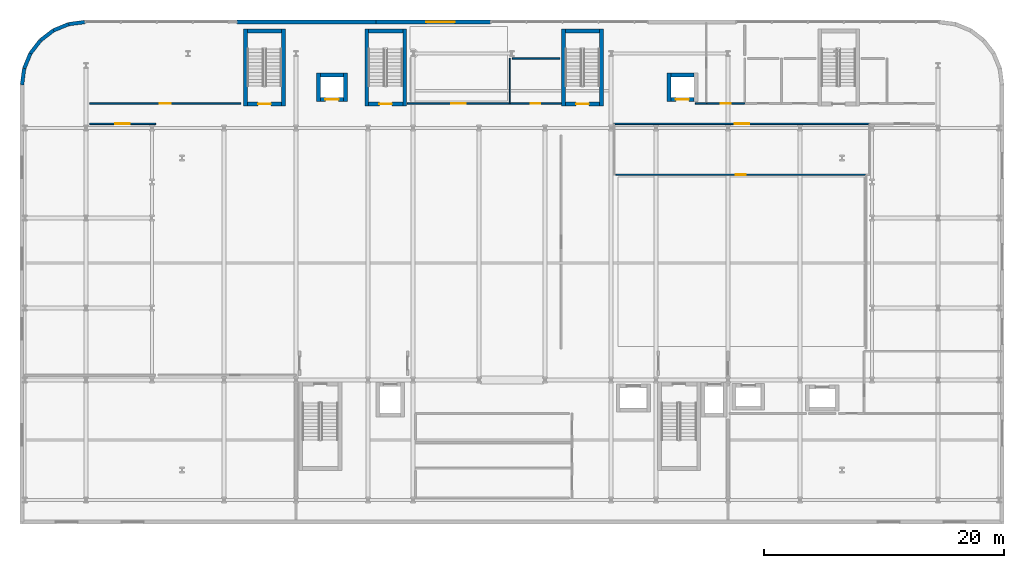
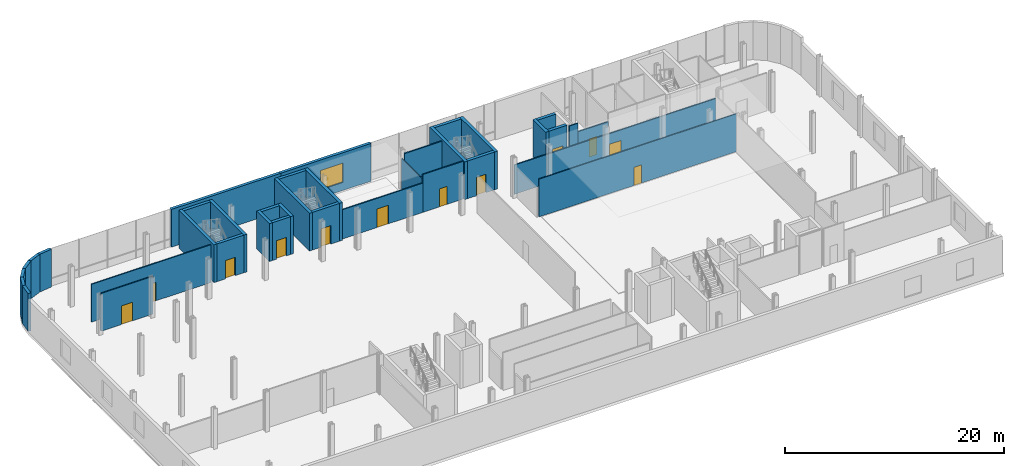
# One storey, part 19 of 25: 37 walls, 12 doors, 1 window, 13 openings.
"""IFC4 building model written with IfcOpenShell, lengths in metres."""

from ifc_helpers import new_model, si_unit, direction, frame, frame_2d, origin, place, context, subcontext, project, spatial, rectangle, extrude, material, layer, layer_set, type_object, element, fill, save


model = new_model("IFC4")

# Units and contexts
model_context = context("Model", 3, precision=1e-05, world=origin(), true_north=direction((0.0, 1.0)))
body_context = subcontext(model_context, "Body", "Model", "MODEL_VIEW")
ifc_project = project(units=[si_unit("LENGTHUNIT", "METRE"), si_unit("AREAUNIT", "SQUARE_METRE"), si_unit("VOLUMEUNIT", "CUBIC_METRE"), si_unit("PLANEANGLEUNIT", "RADIAN"), si_unit("MASSUNIT", "GRAM", prefix="KILO")], contexts=[model_context])

# Site, building, storey
site_placement = place(None, origin())
site = spatial("IfcSite", under=ifc_project, at=site_placement, CompositionType="ELEMENT")
building_placement = place(site_placement, origin())
building = spatial("IfcBuilding", under=site, at=building_placement, Name="Brevholm Reach", CompositionType="ELEMENT")
storey_placement = place(building_placement, frame((0.0, 0.0, 4.5)))
storey = spatial("IfcBuildingStorey", under=building, at=storey_placement, Name="L01", CompositionType="ELEMENT", Elevation=4.5)

# Walls
ifc_material_1 = material(Name="Concrete C60/75", Category="concrete")
ifc_layer_1 = layer(ifc_material_1, 0.320068359375)
ifc_layer_set_1 = layer_set([ifc_layer_1], Name="Concrete C60/75")
wall_type_1 = type_object("IfcWallType", Name="WAL-COR-320", PredefinedType="SHEAR", material=ifc_layer_set_1)
for number, where, z_axis, x_axis, name in (
    (1, (7.7900390625, 32.830078125, 0.0), (0.0, 0.0, 1.0), (0.0, 1.0, 0.0), "L01 Escape Stair ST-S1 Core Wall W"),
    (2, (10.9599609375, 32.830078125, 0.0), (0.0, 0.0, 1.0), (0.0, 1.0, 0.0), "L01 Escape Stair ST-S1 Core Wall E"),
):
    element("IfcWall", number, at=place(storey_placement, frame(where, z_axis=z_axis, x_axis=x_axis)), inside=storey, type_object=wall_type_1, Name=name, PredefinedType="SHEAR", context=body_context, shape_type="SweptSolid", body=[
        extrude(rectangle(XDim=6.419921875, YDim=0.320068359375, at=frame_2d((3.2099609375, 0.0))), origin(), (0.0, 0.0, 1.0), 4.219970703125),
    ])

# Wall, opening, door
wall_1_placement = place(storey_placement, frame((7.949951171875, 32.989990234375, 0.0), z_axis=(0.0, 0.0, 1.0), x_axis=(1.0, 0.0, 0.0)))
wall_1 = element("IfcWall", 3, at=wall_1_placement, inside=storey, type_object=wall_type_1, Name="L01 Escape Stair ST-S1 Core Wall S", PredefinedType="SHEAR", context=body_context, shape_type="SweptSolid", body=[
    extrude(rectangle(XDim=2.85009765625, YDim=0.320068359375, at=frame_2d((1.425048828125, 0.0))), origin(), (0.0, 0.0, 1.0), 4.219970703125),
])
opening_1_placement = place(wall_1_placement, frame((0.89990234375, 0.0, 0.0)))
opening_1 = element("IfcOpeningElement", 4, at=opening_1_placement, cuts=wall_1, Name="Opening SD-ST-S1", PredefinedType="OPENING", context=body_context, shape_type="SweptSolid", body=[
    extrude(rectangle(XDim=1.050048828125, YDim=2.06005859375, at=frame_2d((0.52490234375, 1.030029296875))), frame((0.0, 0.169921875, 0.0), z_axis=(0.0, -1.0, 0.0), x_axis=(1.0, 0.0, 0.0)), (0.0, 0.0, 1.0), 0.340087890625),
])
ifc_material_2 = material(Name="Hardwood-Lipped Steel-Core Fire and Smoke Door", Category="steel")
door_type_1 = type_object("IfcDoorType", Name="DOR-INT-FD60S", OperationType="NOTDEFINED", PredefinedType="DOOR", material=ifc_material_2)
door_1_placement = place(opening_1_placement, origin())
door_1 = element("IfcDoor", 5, at=door_1_placement, inside=storey, type_object=door_type_1, Name="L01 Protected Stair ST-S1 Lobby Door", OperationType="SINGLE_SWING_RIGHT", OverallHeight=2.06005859375, OverallWidth=1.050048828125, PredefinedType="DOOR", context=body_context, shape_type="SweptSolid", body=[
    extrude(rectangle(XDim=1.050048828125, YDim=2.06005859375, at=frame_2d((0.52490234375, 1.030029296875))), frame((0.0, 0.02490234375, 0.0), z_axis=(0.0, -1.0, 0.0), x_axis=(1.0, 0.0, 0.0)), (0.0, 0.0, 1.0), 0.050048828125),
])
fill(opening_1, door_1)

# Walls
wall_2_placement = place(storey_placement, frame((10.800048828125, 39.090087890625, 0.0), z_axis=(0.0, 0.0, 1.0), x_axis=(-1.0, 0.0, 0.0)))
element("IfcWall", 6, at=wall_2_placement, inside=storey, type_object=wall_type_1, Name="L01 Escape Stair ST-S1 Core Wall N", PredefinedType="SHEAR", context=body_context, shape_type="SweptSolid", body=[
    extrude(rectangle(XDim=2.85009765625, YDim=0.320068359375, at=frame_2d((1.425048828125, 0.0))), origin(), (0.0, 0.0, 1.0), 4.219970703125),
])
for number, where, z_axis, x_axis, name in (
    (7, (17.889892578125, 32.830078125, 0.0), (0.0, 0.0, 1.0), (0.0, 1.0, 0.0), "L01 Escape Stair ST-S2 Core Wall W"),
    (8, (21.06005859375, 32.830078125, 0.0), (0.0, 0.0, 1.0), (0.0, 1.0, 0.0), "L01 Escape Stair ST-S2 Core Wall E"),
):
    element("IfcWall", number, at=place(storey_placement, frame(where, z_axis=z_axis, x_axis=x_axis)), inside=storey, type_object=wall_type_1, Name=name, PredefinedType="SHEAR", context=body_context, shape_type="SweptSolid", body=[
        extrude(rectangle(XDim=6.419921875, YDim=0.320068359375, at=frame_2d((3.2099609375, 0.0))), origin(), (0.0, 0.0, 1.0), 4.219970703125),
    ])

# Wall, opening, door
wall_3_placement = place(storey_placement, frame((18.050048828125, 32.989990234375, 0.0), z_axis=(0.0, 0.0, 1.0), x_axis=(1.0, 0.0, 0.0)))
wall_3 = element("IfcWall", 9, at=wall_3_placement, inside=storey, type_object=wall_type_1, Name="L01 Escape Stair ST-S2 Core Wall S", PredefinedType="SHEAR", context=body_context, shape_type="SweptSolid", body=[
    extrude(rectangle(XDim=2.849853515625, YDim=0.320068359375, at=frame_2d((1.4248046875, 0.0))), origin(), (0.0, 0.0, 1.0), 4.219970703125),
])
opening_2_placement = place(wall_3_placement, frame((0.89990234375, 0.0, 0.0)))
opening_2 = element("IfcOpeningElement", 10, at=opening_2_placement, cuts=wall_3, Name="Opening SD-ST-S2", PredefinedType="OPENING", context=body_context, shape_type="SweptSolid", body=[
    extrude(rectangle(XDim=1.050048828125, YDim=2.06005859375, at=frame_2d((0.52490234375, 1.030029296875))), frame((0.0, 0.169921875, 0.0), z_axis=(0.0, -1.0, 0.0), x_axis=(1.0, 0.0, 0.0)), (0.0, 0.0, 1.0), 0.340087890625),
])
door_2_placement = place(opening_2_placement, origin())
door_2 = element("IfcDoor", 11, at=door_2_placement, inside=storey, type_object=door_type_1, Name="L01 Protected Stair ST-S2 Lobby Door", OperationType="SINGLE_SWING_RIGHT", OverallHeight=2.06005859375, OverallWidth=1.050048828125, PredefinedType="DOOR", context=body_context, shape_type="SweptSolid", body=[
    extrude(rectangle(XDim=1.050048828125, YDim=2.06005859375, at=frame_2d((0.52490234375, 1.030029296875))), frame((0.0, 0.02490234375, 0.0), z_axis=(0.0, -1.0, 0.0), x_axis=(1.0, 0.0, 0.0)), (0.0, 0.0, 1.0), 0.050048828125),
])
fill(opening_2, door_2)

# Walls
wall_4_placement = place(storey_placement, frame((20.89990234375, 39.090087890625, 0.0), z_axis=(0.0, 0.0, 1.0), x_axis=(-1.0, 0.0, 0.0)))
element("IfcWall", 12, at=wall_4_placement, inside=storey, type_object=wall_type_1, Name="L01 Escape Stair ST-S2 Core Wall N", PredefinedType="SHEAR", context=body_context, shape_type="SweptSolid", body=[
    extrude(rectangle(XDim=2.849853515625, YDim=0.320068359375, at=frame_2d((1.4248046875, 0.0))), origin(), (0.0, 0.0, 1.0), 4.219970703125),
])
for number, where, z_axis, x_axis, name in (
    (13, (34.2900390625, 32.830078125, 0.0), (0.0, 0.0, 1.0), (0.0, 1.0, 0.0), "L01 Escape Stair ST-S3 Core Wall W"),
    (14, (37.4599609375, 32.830078125, 0.0), (0.0, 0.0, 1.0), (0.0, 1.0, 0.0), "L01 Escape Stair ST-S3 Core Wall E"),
):
    element("IfcWall", number, at=place(storey_placement, frame(where, z_axis=z_axis, x_axis=x_axis)), inside=storey, type_object=wall_type_1, Name=name, PredefinedType="SHEAR", context=body_context, shape_type="SweptSolid", body=[
        extrude(rectangle(XDim=6.419921875, YDim=0.320068359375, at=frame_2d((3.2099609375, 0.0))), origin(), (0.0, 0.0, 1.0), 4.219970703125),
    ])

# Wall, opening, door
wall_5_placement = place(storey_placement, frame((34.449951171875, 32.989990234375, 0.0), z_axis=(0.0, 0.0, 1.0), x_axis=(1.0, 0.0, 0.0)))
wall_5 = element("IfcWall", 15, at=wall_5_placement, inside=storey, type_object=wall_type_1, Name="L01 Escape Stair ST-S3 Core Wall S", PredefinedType="SHEAR", context=body_context, shape_type="SweptSolid", body=[
    extrude(rectangle(XDim=2.85009765625, YDim=0.320068359375, at=frame_2d((1.425048828125, 0.0))), origin(), (0.0, 0.0, 1.0), 4.219970703125),
])
opening_3_placement = place(wall_5_placement, frame((0.89990234375, 0.0, 0.0)))
opening_3 = element("IfcOpeningElement", 16, at=opening_3_placement, cuts=wall_5, Name="Opening SD-ST-S3", PredefinedType="OPENING", context=body_context, shape_type="SweptSolid", body=[
    extrude(rectangle(XDim=1.050048828125, YDim=2.06005859375, at=frame_2d((0.52490234375, 1.030029296875))), frame((0.0, 0.169921875, 0.0), z_axis=(0.0, -1.0, 0.0), x_axis=(1.0, 0.0, 0.0)), (0.0, 0.0, 1.0), 0.340087890625),
])
door_3_placement = place(opening_3_placement, origin())
door_3 = element("IfcDoor", 17, at=door_3_placement, inside=storey, type_object=door_type_1, Name="L01 Protected Stair ST-S3 Lobby Door", OperationType="SINGLE_SWING_RIGHT", OverallHeight=2.06005859375, OverallWidth=1.050048828125, PredefinedType="DOOR", context=body_context, shape_type="SweptSolid", body=[
    extrude(rectangle(XDim=1.050048828125, YDim=2.06005859375, at=frame_2d((0.52490234375, 1.030029296875))), frame((0.0, 0.02490234375, 0.0), z_axis=(0.0, -1.0, 0.0), x_axis=(1.0, 0.0, 0.0)), (0.0, 0.0, 1.0), 0.050048828125),
])
fill(opening_3, door_3)

# Walls
wall_6_placement = place(storey_placement, frame((37.300048828125, 39.090087890625, 0.0), z_axis=(0.0, 0.0, 1.0), x_axis=(-1.0, 0.0, 0.0)))
element("IfcWall", 18, at=wall_6_placement, inside=storey, type_object=wall_type_1, Name="L01 Escape Stair ST-S3 Core Wall N", PredefinedType="SHEAR", context=body_context, shape_type="SweptSolid", body=[
    extrude(rectangle(XDim=2.85009765625, YDim=0.320068359375, at=frame_2d((1.425048828125, 0.0))), origin(), (0.0, 0.0, 1.0), 4.219970703125),
])
for number, where, z_axis, x_axis, name in (
    (19, (13.8798828125, 33.219970703125, 0.0), (0.0, 0.0, 1.0), (0.0, 1.0, 0.0), "L01 Lift SL-1 Shaft Wall W"),
    (20, (16.1201171875, 33.219970703125, 0.0), (0.0, 0.0, 1.0), (0.0, 1.0, 0.0), "L01 Lift SL-1 Shaft Wall E"),
):
    element("IfcWall", number, at=place(storey_placement, frame(where, z_axis=z_axis, x_axis=x_axis)), inside=storey, type_object=wall_type_1, Name=name, PredefinedType="SHEAR", context=body_context, shape_type="SweptSolid", body=[
        extrude(rectangle(XDim=2.360107421875, YDim=0.320068359375, at=frame_2d((1.18017578125, 0.0))), origin(), (0.0, 0.0, 1.0), 4.219970703125),
    ])

# Wall, opening, door
wall_7_placement = place(storey_placement, frame((14.0400390625, 33.3798828125, 0.0), z_axis=(0.0, 0.0, 1.0), x_axis=(1.0, 0.0, 0.0)))
wall_7 = element("IfcWall", 21, at=wall_7_placement, inside=storey, type_object=wall_type_1, Name="L01 Lift SL-1 Shaft Wall S", PredefinedType="SHEAR", context=body_context, shape_type="SweptSolid", body=[
    extrude(rectangle(XDim=1.919921875, YDim=0.320068359375, at=frame_2d((0.9599609375, 0.0))), origin(), (0.0, 0.0, 1.0), 4.219970703125),
])
opening_4_placement = place(wall_7_placement, frame((0.409912109375, 0.0, 0.0)))
opening_4 = element("IfcOpeningElement", 22, at=opening_4_placement, cuts=wall_7, Name="Opening LD-SL-1", PredefinedType="OPENING", context=body_context, shape_type="SweptSolid", body=[
    extrude(rectangle(XDim=1.10009765625, YDim=2.06005859375, at=frame_2d((0.550048828125, 1.030029296875))), frame((0.0, 0.169921875, 0.0), z_axis=(0.0, -1.0, 0.0), x_axis=(1.0, 0.0, 0.0)), (0.0, 0.0, 1.0), 0.340087890625),
])
ifc_material_3 = material(Name="Brushed Stainless Steel Fire-Rated Sliding Lift Door", Category="steel")
door_type_2 = type_object("IfcDoorType", Name="DOR-LFT-1100", OperationType="NOTDEFINED", PredefinedType="DOOR", material=ifc_material_3)
door_4_placement = place(opening_4_placement, origin())
door_4 = element("IfcDoor", 23, at=door_4_placement, inside=storey, type_object=door_type_2, Name="L01 Lift SL-1 Sliding Landing Door", OperationType="SLIDING_TO_LEFT", OverallHeight=2.06005859375, OverallWidth=1.10009765625, PredefinedType="DOOR", context=body_context, shape_type="SweptSolid", body=[
    extrude(rectangle(XDim=1.10009765625, YDim=2.06005859375, at=frame_2d((0.550048828125, 1.030029296875))), frame((0.0, 0.02490234375, 0.0), z_axis=(0.0, -1.0, 0.0), x_axis=(1.0, 0.0, 0.0)), (0.0, 0.0, 1.0), 0.050048828125),
])
fill(opening_4, door_4)

# Walls
wall_8_placement = place(storey_placement, frame((14.0400390625, 35.419921875, 0.0), z_axis=(0.0, 0.0, 1.0), x_axis=(1.0, 0.0, 0.0)))
element("IfcWall", 24, at=wall_8_placement, inside=storey, type_object=wall_type_1, Name="L01 Lift SL-1 Shaft Wall N", PredefinedType="SHEAR", context=body_context, shape_type="SweptSolid", body=[
    extrude(rectangle(XDim=1.919921875, YDim=0.320068359375, at=frame_2d((0.9599609375, 0.0))), origin(), (0.0, 0.0, 1.0), 4.219970703125),
])
wall_9_placement = place(storey_placement, frame((43.080078125, 33.219970703125, 0.0), z_axis=(0.0, 0.0, 1.0), x_axis=(0.0, 1.0, 0.0)))
element("IfcWall", 25, at=wall_9_placement, inside=storey, type_object=wall_type_1, Name="L01 Lift SL-2 Shaft Wall W", PredefinedType="SHEAR", context=body_context, shape_type="SweptSolid", body=[
    extrude(rectangle(XDim=2.360107421875, YDim=0.320068359375, at=frame_2d((1.18017578125, 0.0))), origin(), (0.0, 0.0, 1.0), 4.219970703125),
])

# Wall, opening, door
wall_10_placement = place(storey_placement, frame((43.239990234375, 33.3798828125, 0.0), z_axis=(0.0, 0.0, 1.0), x_axis=(1.0, 0.0, 0.0)))
wall_10 = element("IfcWall", 26, at=wall_10_placement, inside=storey, type_object=wall_type_1, Name="L01 Lift SL-2 Shaft Wall S", PredefinedType="SHEAR", context=body_context, shape_type="SweptSolid", body=[
    extrude(rectangle(XDim=1.919921875, YDim=0.320068359375, at=frame_2d((0.9599609375, 0.0))), origin(), (0.0, 0.0, 1.0), 4.219970703125),
])
opening_5_placement = place(wall_10_placement, frame((0.409912109375, 0.0, 0.0)))
opening_5 = element("IfcOpeningElement", 27, at=opening_5_placement, cuts=wall_10, Name="Opening LD-SL-2", PredefinedType="OPENING", context=body_context, shape_type="SweptSolid", body=[
    extrude(rectangle(XDim=1.10009765625, YDim=2.06005859375, at=frame_2d((0.550048828125, 1.030029296875))), frame((0.0, 0.169921875, 0.0), z_axis=(0.0, -1.0, 0.0), x_axis=(1.0, 0.0, 0.0)), (0.0, 0.0, 1.0), 0.340087890625),
])
door_5_placement = place(opening_5_placement, origin())
door_5 = element("IfcDoor", 28, at=door_5_placement, inside=storey, type_object=door_type_2, Name="L01 Lift SL-2 Sliding Landing Door", OperationType="SLIDING_TO_RIGHT", OverallHeight=2.06005859375, OverallWidth=1.10009765625, PredefinedType="DOOR", context=body_context, shape_type="SweptSolid", body=[
    extrude(rectangle(XDim=1.10009765625, YDim=2.06005859375, at=frame_2d((0.550048828125, 1.030029296875))), frame((0.0, 0.02490234375, 0.0), z_axis=(0.0, -1.0, 0.0), x_axis=(1.0, 0.0, 0.0)), (0.0, 0.0, 1.0), 0.050048828125),
])
fill(opening_5, door_5)

# Walls
wall_11_placement = place(storey_placement, frame((43.239990234375, 35.419921875, 0.0), z_axis=(0.0, 0.0, 1.0), x_axis=(1.0, 0.0, 0.0)))
element("IfcWall", 29, at=wall_11_placement, inside=storey, type_object=wall_type_1, Name="L01 Lift SL-2 Shaft Wall N", PredefinedType="SHEAR", context=body_context, shape_type="SweptSolid", body=[
    extrude(rectangle(XDim=1.919921875, YDim=0.320068359375, at=frame_2d((0.9599609375, 0.0))), origin(), (0.0, 0.0, 1.0), 4.219970703125),
])
ifc_material_4 = material(Name="Concrete C40/50", Category="concrete")
ifc_layer_2 = layer(ifc_material_4, 0.300048828125)
ifc_layer_set_2 = layer_set([ifc_layer_2], Name="Concrete C40/50")
wall_type_2 = type_object("IfcWallType", Name="WAL-EXT-300", PredefinedType="STANDARD", material=ifc_layer_set_2)
wall_12_placement = place(storey_placement, frame((-10.830078125, 34.60009765625, 0.0), z_axis=(0.0, 0.0, 1.0), x_axis=(0.13054703207, 0.991442117533, 0.0)))
element("IfcWall", 30, at=wall_12_placement, inside=storey, type_object=wall_type_2, Name="L01 Facade Wall WAL-L01-NWP-1", PredefinedType="STANDARD", context=body_context, shape_type="SweptSolid", body=[
    extrude(rectangle(XDim=1.365234375, YDim=0.300048828125, at=frame_2d((0.6826171875, 0.0))), origin(), (0.0, 0.0, 1.0), 4.219970703125),
])
wall_13_placement = place(storey_placement, frame((-10.65185546875, 35.95361328125, 0.0), z_axis=(0.0, 0.0, 1.0), x_axis=(0.382646577594, 0.923894797396, 0.0)))
element("IfcWall", 31, at=wall_13_placement, inside=storey, type_object=wall_type_2, Name="L01 Facade Wall WAL-L01-NWP-2", PredefinedType="STANDARD", context=body_context, shape_type="SweptSolid", body=[
    extrude(rectangle(XDim=1.365478515625, YDim=0.300048828125, at=frame_2d((0.6826171875, 0.0))), origin(), (0.0, 0.0, 1.0), 4.219970703125),
])
for number, where, z_axis, x_axis, name in (
    (32, (-10.12939453125, 37.215087890625, 0.0), (0.0, 0.0, 1.0), (0.6088894473, 0.793255091989, 0.0), "L01 Facade Wall WAL-L01-NWP-3"),
    (33, (-9.298095703125, 38.298095703125, 0.0), (0.0, 0.0, 1.0), (0.793255091989, 0.6088894473, 0.0), "L01 Facade Wall WAL-L01-NWP-4"),
):
    element("IfcWall", number, at=place(storey_placement, frame(where, z_axis=z_axis, x_axis=x_axis)), inside=storey, type_object=wall_type_2, Name=name, PredefinedType="STANDARD", context=body_context, shape_type="SweptSolid", body=[
        extrude(rectangle(XDim=1.365234375, YDim=0.300048828125, at=frame_2d((0.6826171875, 0.0))), origin(), (0.0, 0.0, 1.0), 4.219970703125),
    ])
wall_14_placement = place(storey_placement, frame((-8.215087890625, 39.12939453125, 0.0), z_axis=(0.0, 0.0, 1.0), x_axis=(0.923894797396, 0.382646577594, 0.0)))
element("IfcWall", 34, at=wall_14_placement, inside=storey, type_object=wall_type_2, Name="L01 Facade Wall WAL-L01-NWP-5", PredefinedType="STANDARD", context=body_context, shape_type="SweptSolid", body=[
    extrude(rectangle(XDim=1.365478515625, YDim=0.300048828125, at=frame_2d((0.6826171875, 0.0))), origin(), (0.0, 0.0, 1.0), 4.219970703125),
])
wall_15_placement = place(storey_placement, frame((-6.95361328125, 39.65185546875, 0.0), z_axis=(0.0, 0.0, 1.0), x_axis=(0.991442117533, 0.13054703207, 0.0)))
element("IfcWall", 35, at=wall_15_placement, inside=storey, type_object=wall_type_2, Name="L01 Facade Wall WAL-L01-NWP-6", PredefinedType="STANDARD", context=body_context, shape_type="SweptSolid", body=[
    extrude(rectangle(XDim=1.365234375, YDim=0.300048828125, at=frame_2d((0.6826171875, 0.0))), origin(), (0.0, 0.0, 1.0), 4.219970703125),
])
wall_16_placement = place(storey_placement, frame((7.10009765625, 39.830078125, 0.0), z_axis=(0.0, 0.0, 1.0), x_axis=(1.0, 0.0, 0.0)))
element("IfcWall", 36, at=wall_16_placement, inside=storey, type_object=wall_type_2, Name="L01 Facade Wall WAL-L01-NPW", PredefinedType="STANDARD", context=body_context, shape_type="SweptSolid", body=[
    extrude(rectangle(XDim=11.5498046875, YDim=0.300048828125, at=frame_2d((5.77490234375, 0.0))), origin(), (0.0, 0.0, 1.0), 4.219970703125),
])

# Wall, opening, window
wall_17_placement = place(storey_placement, frame((18.64990234375, 39.830078125, 0.0), z_axis=(0.0, 0.0, 1.0), x_axis=(1.0, 0.0, 0.0)))
wall_17 = element("IfcWall", 37, at=wall_17_placement, inside=storey, type_object=wall_type_2, Name="L01 Facade Wall WAL-L01-N-ENT", PredefinedType="STANDARD", context=body_context, shape_type="SweptSolid", body=[
    extrude(rectangle(XDim=9.550048828125, YDim=0.300048828125, at=frame_2d((4.77490234375, 0.0))), origin(), (0.0, 0.0, 1.0), 4.219970703125),
])
opening_6_placement = place(wall_17_placement, frame((4.199951171875, 0.0, 0.89990234375)))
opening_6 = element("IfcOpeningElement", 38, at=opening_6_placement, cuts=wall_17, Name="Opening WN-03", PredefinedType="OPENING", context=body_context, shape_type="SweptSolid", body=[
    extrude(rectangle(XDim=2.39990234375, YDim=2.14990234375, at=frame_2d((1.199951171875, 1.074951171875))), frame((0.0, 0.159912109375, 0.0), z_axis=(0.0, -1.0, 0.0), x_axis=(1.0, 0.0, 0.0)), (0.0, 0.0, 1.0), 0.320068359375),
])
ifc_material_5 = material(Name="Dark Anodised Aluminium and Solar-Control IGU Glass", Category="aluminium")
window_type = type_object("IfcWindowType", Name="WIN-SCH-2400", PartitioningType="SINGLE_PANEL", PredefinedType="WINDOW", material=ifc_material_5)
window_placement = place(opening_6_placement, origin())
window = element("IfcWindow", 39, at=window_placement, inside=storey, type_object=window_type, Name="L01 Window WIN-L01-NC-1", OverallHeight=2.14990234375, OverallWidth=2.39990234375, PartitioningType="SINGLE_PANEL", PredefinedType="WINDOW", context=body_context, shape_type="SweptSolid", body=[
    extrude(rectangle(XDim=2.39990234375, YDim=2.14990234375, at=frame_2d((1.199951171875, 1.074951171875))), frame((0.0, 0.030029296875, 0.0), z_axis=(0.0, -1.0, 0.0), x_axis=(1.0, 0.0, 0.0)), (0.0, 0.0, 1.0), 0.06005859375),
])
fill(opening_6, window)

# Wall
ifc_material_6 = material(Name="Moisture-Resistant Acoustic Gypsum Stud Partition 100 mm", Category="gypsum")
ifc_layer_3 = layer(ifc_material_6, 0.10009765625)
ifc_layer_set_3 = layer_set([ifc_layer_3], Name="Moisture-Resistant Acoustic Gypsum Stud Partition 100 mm")
wall_type_3 = type_object("IfcWallType", Name="WAL-PRT-100", PredefinedType="PARTITIONING", material=ifc_layer_set_3)
wall_18_placement = place(storey_placement, frame((29.800048828125, 33.053955078125, 0.0), z_axis=(0.0, 0.0, 1.0), x_axis=(0.0, 1.0, 0.0)))
element("IfcWall", 40, at=wall_18_placement, inside=storey, type_object=wall_type_3, Name="L01 Internal Partition 025", PredefinedType="PARTITIONING", context=body_context, shape_type="SweptSolid", body=[
    extrude(rectangle(XDim=3.75732421875, YDim=0.10009765625, at=frame_2d((1.878662109375, 0.0))), origin(), (0.0, 0.0, 1.0), 3.738037109375),
])

# Wall, opening, door
wall_19_placement = place(storey_placement, frame((38.64990234375, 27.10009765625, 0.0), z_axis=(0.0, 0.0, 1.0), x_axis=(1.0, 0.0, 0.0)))
wall_19 = element("IfcWall", 41, at=wall_19_placement, inside=storey, type_object=wall_type_3, Name="L01 Internal Partition 030", PredefinedType="PARTITIONING", context=body_context, shape_type="SweptSolid", body=[
    extrude(rectangle(XDim=20.85009765625, YDim=0.10009765625, at=frame_2d((10.425048828125, 0.0))), origin(), (0.0, 0.0, 1.0), 4.219970703125),
])
opening_7_placement = place(wall_19_placement, frame((10.014892578125, 0.0, 0.0)))
opening_7 = element("IfcOpeningElement", 42, at=opening_7_placement, cuts=wall_19, Name="Opening ID-03", PredefinedType="OPENING", context=body_context, shape_type="SweptSolid", body=[
    extrude(rectangle(XDim=0.820068359375, YDim=2.02001953125, at=frame_2d((0.41015625, 1.010009765625))), frame((0.0, 0.06005859375, 0.0), z_axis=(0.0, -1.0, 0.0), x_axis=(1.0, 0.0, 0.0)), (0.0, 0.0, 1.0), 0.1201171875),
])
ifc_material_7 = material(Name="Moisture-Resistant Painted Timber Internal Bathroom Door", Category="wood")
door_type_3 = type_object("IfcDoorType", Name="DOR-BATH-820", OperationType="NOTDEFINED", PredefinedType="DOOR", material=ifc_material_7)
door_6_placement = place(opening_7_placement, origin())
door_6 = element("IfcDoor", 43, at=door_6_placement, inside=storey, type_object=door_type_3, Name="L01 Access Door 024", OperationType="SINGLE_SWING_RIGHT", OverallHeight=2.02001953125, OverallWidth=0.820068359375, PredefinedType="DOOR", context=body_context, shape_type="SweptSolid", body=[
    extrude(rectangle(XDim=0.820068359375, YDim=2.02001953125, at=frame_2d((0.41015625, 1.010009765625))), frame((0.0, 0.02490234375, 0.0), z_axis=(0.0, -1.0, 0.0), x_axis=(1.0, 0.0, 0.0)), (0.0, 0.0, 1.0), 0.050048828125),
])
fill(opening_7, door_6)

ifc_material_8 = material(Name="Acoustic Fire-Rated Classroom Gypsum Partition 120 mm", Category="gypsum")
ifc_layer_4 = layer(ifc_material_8, 0.1201171875)
ifc_layer_set_4 = layer_set([ifc_layer_4], Name="Acoustic Fire-Rated Classroom Gypsum Partition 120 mm")
wall_type_4 = type_object("IfcWallType", Name="WAL-PRT-120", PredefinedType="PARTITIONING", material=ifc_layer_set_4)
wall_20_placement = place(storey_placement, frame((21.288818359375, 33.050048828125, 0.0), z_axis=(0.0, 0.0, 1.0), x_axis=(1.0, 0.0, 0.0)))
wall_20 = element("IfcWall", 44, at=wall_20_placement, inside=storey, type_object=wall_type_4, Name="L01 Internal Partition 010", PredefinedType="PARTITIONING", context=body_context, shape_type="SweptSolid", body=[
    extrude(rectangle(XDim=8.5224609375, YDim=0.1201171875, at=frame_2d((4.26123046875, 0.0))), origin(), (0.0, 0.0, 1.0), 3.268310546875),
])
opening_8_placement = place(wall_20_placement, frame((3.661376953125, 0.0, 0.0)))
opening_8 = element("IfcOpeningElement", 45, at=opening_8_placement, cuts=wall_20, Name="Opening ID-SC", PredefinedType="OPENING", context=body_context, shape_type="SweptSolid", body=[
    extrude(rectangle(XDim=1.199951171875, YDim=2.080078125, at=frame_2d((0.60009765625, 1.0400390625))), frame((0.0, 0.070068359375, 0.0), z_axis=(0.0, -1.0, 0.0), x_axis=(1.0, 0.0, 0.0)), (0.0, 0.0, 1.0), 0.14013671875),
])
ifc_material_9 = material(Name="Acoustic European Oak Classroom Vision-Panel Fire Door", Category="timber")
door_type_4 = type_object("IfcDoorType", Name="DOR-SCH-1200", OperationType="NOTDEFINED", PredefinedType="DOOR", material=ifc_material_9)
door_7_placement = place(opening_8_placement, origin())
door_7 = element("IfcDoor", 46, at=door_7_placement, inside=storey, type_object=door_type_4, Name="L01 Internal Door 008", OperationType="SINGLE_SWING_RIGHT", OverallHeight=2.080078125, OverallWidth=1.199951171875, PredefinedType="DOOR", context=body_context, shape_type="SweptSolid", body=[
    extrude(rectangle(XDim=1.199951171875, YDim=2.080078125, at=frame_2d((0.60009765625, 1.0400390625))), frame((0.0, 0.02490234375, 0.0), z_axis=(0.0, -1.0, 0.0), x_axis=(1.0, 0.0, 0.0)), (0.0, 0.0, 1.0), 0.050048828125),
])
fill(opening_8, door_7)

wall_21_placement = place(storey_placement, frame((29.792724609375, 33.050048828125, 0.0), z_axis=(0.0, 0.0, 1.0), x_axis=(1.0, 0.0, 0.0)))
wall_21 = element("IfcWall", 47, at=wall_21_placement, inside=storey, type_object=wall_type_4, Name="L01 Internal Partition 011", PredefinedType="PARTITIONING", context=body_context, shape_type="SweptSolid", body=[
    extrude(rectangle(XDim=4.327392578125, YDim=0.1201171875, at=frame_2d((2.16357421875, 0.0))), origin(), (0.0, 0.0, 1.0), 4.219970703125),
])
opening_9_placement = place(wall_21_placement, frame((1.753662109375, 0.0, 0.0)))
opening_9 = element("IfcOpeningElement", 48, at=opening_9_placement, cuts=wall_21, Name="Opening ID-02", PredefinedType="OPENING", context=body_context, shape_type="SweptSolid", body=[
    extrude(rectangle(XDim=0.820068359375, YDim=2.02001953125, at=frame_2d((0.41015625, 1.010009765625))), frame((0.0, 0.070068359375, 0.0), z_axis=(0.0, -1.0, 0.0), x_axis=(1.0, 0.0, 0.0)), (0.0, 0.0, 1.0), 0.14013671875),
])
ifc_material_10 = material(Name="Moisture-Resistant Painted Timber Fire-Rated Riser and Service Door", Category="wood")
door_type_5 = type_object("IfcDoorType", Name="DOR-SRV-820", OperationType="NOTDEFINED", PredefinedType="DOOR", material=ifc_material_10)
door_8_placement = place(opening_9_placement, origin())
door_8 = element("IfcDoor", 49, at=door_8_placement, inside=storey, type_object=door_type_5, Name="L01 Internal Door 009", OperationType="SINGLE_SWING_LEFT", OverallHeight=2.02001953125, OverallWidth=0.820068359375, PredefinedType="DOOR", context=body_context, shape_type="SweptSolid", body=[
    extrude(rectangle(XDim=0.820068359375, YDim=2.02001953125, at=frame_2d((0.41015625, 1.010009765625))), frame((0.0, 0.02490234375, 0.0), z_axis=(0.0, -1.0, 0.0), x_axis=(1.0, 0.0, 0.0)), (0.0, 0.0, 1.0), 0.050048828125),
])
fill(opening_9, door_8)

# Wall
wall_22_placement = place(storey_placement, frame((45.272705078125, 33.050048828125, 0.0), z_axis=(0.0, 0.0, 1.0), x_axis=(1.0, 0.0, 0.0)))
element("IfcWall", 50, at=wall_22_placement, inside=storey, type_object=wall_type_4, Name="L01 Internal Partition 012", PredefinedType="PARTITIONING", context=body_context, shape_type="SweptSolid", body=[
    extrude(rectangle(XDim=0.9384765625, YDim=0.1201171875, at=frame_2d((0.46923828125, 0.0))), origin(), (0.0, 0.0, 1.0), 4.219970703125),
])

# Wall, opening, door
wall_23_placement = place(storey_placement, frame((46.192626953125, 33.050048828125, 0.0), z_axis=(0.0, 0.0, 1.0), x_axis=(1.0, 0.0, 0.0)))
wall_23 = element("IfcWall", 51, at=wall_23_placement, inside=storey, type_object=wall_type_4, Name="L01 Internal Partition 013", PredefinedType="PARTITIONING", context=body_context, shape_type="SweptSolid", body=[
    extrude(rectangle(XDim=3.21875, YDim=0.1201171875, at=frame_2d((1.609375, 0.0))), origin(), (0.0, 0.0, 1.0), 3.268310546875),
])
opening_10_placement = place(wall_23_placement, frame((1.19921875, 0.0, 0.0)))
opening_10 = element("IfcOpeningElement", 52, at=opening_10_placement, cuts=wall_23, Name="Opening ID-02", PredefinedType="OPENING", context=body_context, shape_type="SweptSolid", body=[
    extrude(rectangle(XDim=0.820068359375, YDim=2.02001953125, at=frame_2d((0.41015625, 1.010009765625))), frame((0.0, 0.070068359375, 0.0), z_axis=(0.0, -1.0, 0.0), x_axis=(1.0, 0.0, 0.0)), (0.0, 0.0, 1.0), 0.14013671875),
])
door_9_placement = place(opening_10_placement, origin())
door_9 = element("IfcDoor", 53, at=door_9_placement, inside=storey, type_object=door_type_5, Name="L01 Internal Door 010", OperationType="SINGLE_SWING_RIGHT", OverallHeight=2.02001953125, OverallWidth=0.820068359375, PredefinedType="DOOR", context=body_context, shape_type="SweptSolid", body=[
    extrude(rectangle(XDim=0.820068359375, YDim=2.02001953125, at=frame_2d((0.41015625, 1.010009765625))), frame((0.0, 0.02490234375, 0.0), z_axis=(0.0, -1.0, 0.0), x_axis=(1.0, 0.0, 0.0)), (0.0, 0.0, 1.0), 0.050048828125),
])
fill(opening_10, door_9)

wall_24_placement = place(storey_placement, frame((38.49267578125, 31.35009765625, 0.0), z_axis=(0.0, 0.0, 1.0), x_axis=(1.0, 0.0, 0.0)))
wall_24 = element("IfcWall", 54, at=wall_24_placement, inside=storey, type_object=wall_type_4, Name="L01 Internal Partition 018", PredefinedType="PARTITIONING", context=body_context, shape_type="SweptSolid", body=[
    extrude(rectangle(XDim=21.318603515625, YDim=0.1201171875, at=frame_2d((10.6591796875, 0.0))), origin(), (0.0, 0.0, 1.0), 3.268310546875),
])
opening_11_placement = place(wall_24_placement, frame((10.059326171875, 0.0, 0.0)))
opening_11 = element("IfcOpeningElement", 55, at=opening_11_placement, cuts=wall_24, Name="Opening ID-SC", PredefinedType="OPENING", context=body_context, shape_type="SweptSolid", body=[
    extrude(rectangle(XDim=1.199951171875, YDim=2.080078125, at=frame_2d((0.60009765625, 1.0400390625))), frame((0.0, 0.070068359375, 0.0), z_axis=(0.0, -1.0, 0.0), x_axis=(1.0, 0.0, 0.0)), (0.0, 0.0, 1.0), 0.14013671875),
])
door_10_placement = place(opening_11_placement, origin())
door_10 = element("IfcDoor", 56, at=door_10_placement, inside=storey, type_object=door_type_4, Name="L01 Internal Door 015", OperationType="SINGLE_SWING_LEFT", OverallHeight=2.080078125, OverallWidth=1.199951171875, PredefinedType="DOOR", context=body_context, shape_type="SweptSolid", body=[
    extrude(rectangle(XDim=1.199951171875, YDim=2.080078125, at=frame_2d((0.60009765625, 1.0400390625))), frame((0.0, 0.02490234375, 0.0), z_axis=(0.0, -1.0, 0.0), x_axis=(1.0, 0.0, 0.0)), (0.0, 0.0, 1.0), 0.050048828125),
])
fill(opening_11, door_10)

wall_25_placement = place(storey_placement, frame((-5.199951171875, 31.35009765625, 0.0), z_axis=(0.0, 0.0, 1.0), x_axis=(1.0, 0.0, 0.0)))
wall_25 = element("IfcWall", 57, at=wall_25_placement, inside=storey, type_object=wall_type_4, Name="L01 Internal Partition 019", PredefinedType="PARTITIONING", context=body_context, shape_type="SweptSolid", body=[
    extrude(rectangle(XDim=5.51123046875, YDim=0.1201171875, at=frame_2d((2.755615234375, 0.0))), origin(), (0.0, 0.0, 1.0), 4.219970703125),
])
opening_12_placement = place(wall_25_placement, frame((2.15576171875, 0.0, 0.0)))
opening_12 = element("IfcOpeningElement", 58, at=opening_12_placement, cuts=wall_25, Name="Opening ID-SC", PredefinedType="OPENING", context=body_context, shape_type="SweptSolid", body=[
    extrude(rectangle(XDim=1.199951171875, YDim=2.080078125, at=frame_2d((0.60009765625, 1.0400390625))), frame((0.0, 0.070068359375, 0.0), z_axis=(0.0, -1.0, 0.0), x_axis=(1.0, 0.0, 0.0)), (0.0, 0.0, 1.0), 0.14013671875),
])
door_11_placement = place(opening_12_placement, origin())
door_11 = element("IfcDoor", 59, at=door_11_placement, inside=storey, type_object=door_type_4, Name="L01 Internal Door 016", OperationType="SINGLE_SWING_RIGHT", OverallHeight=2.080078125, OverallWidth=1.199951171875, PredefinedType="DOOR", context=body_context, shape_type="SweptSolid", body=[
    extrude(rectangle(XDim=1.199951171875, YDim=2.080078125, at=frame_2d((0.60009765625, 1.0400390625))), frame((0.0, 0.02490234375, 0.0), z_axis=(0.0, -1.0, 0.0), x_axis=(1.0, 0.0, 0.0)), (0.0, 0.0, 1.0), 0.050048828125),
])
fill(opening_12, door_11)

wall_26_placement = place(storey_placement, frame((-5.199951171875, 33.050048828125, 0.0), z_axis=(0.0, 0.0, 1.0), x_axis=(1.0, 0.0, 0.0)))
wall_26 = element("IfcWall", 60, at=wall_26_placement, inside=storey, type_object=wall_type_4, Name="L01 Internal Partition 021", PredefinedType="PARTITIONING", context=body_context, shape_type="SweptSolid", body=[
    extrude(rectangle(XDim=12.611328125, YDim=0.1201171875, at=frame_2d((6.3056640625, 0.0))), origin(), (0.0, 0.0, 1.0), 4.219970703125),
])
opening_13_placement = place(wall_26_placement, frame((5.830810546875, 0.0, 0.0)))
opening_13 = element("IfcOpeningElement", 61, at=opening_13_placement, cuts=wall_26, Name="Opening ID-30", PredefinedType="OPENING", context=body_context, shape_type="SweptSolid", body=[
    extrude(rectangle(XDim=0.949951171875, YDim=2.050048828125, at=frame_2d((0.47509765625, 1.02490234375))), frame((0.0, 0.070068359375, 0.0), z_axis=(0.0, -1.0, 0.0), x_axis=(1.0, 0.0, 0.0)), (0.0, 0.0, 1.0), 0.14013671875),
])
ifc_material_11 = material(Name="European Oak Veneered Solid-Core Fire Entrance Door", Category="timber")
door_type_6 = type_object("IfcDoorType", Name="DOR-FLT-FD30S", OperationType="NOTDEFINED", PredefinedType="DOOR", material=ifc_material_11)
door_12_placement = place(opening_13_placement, origin())
door_12 = element("IfcDoor", 62, at=door_12_placement, inside=storey, type_object=door_type_6, Name="L01 Internal Door 018", OperationType="SINGLE_SWING_RIGHT", OverallHeight=2.050048828125, OverallWidth=0.949951171875, PredefinedType="DOOR", context=body_context, shape_type="SweptSolid", body=[
    extrude(rectangle(XDim=0.949951171875, YDim=2.050048828125, at=frame_2d((0.47509765625, 1.02490234375))), frame((0.0, 0.02490234375, 0.0), z_axis=(0.0, -1.0, 0.0), x_axis=(1.0, 0.0, 0.0)), (0.0, 0.0, 1.0), 0.050048828125),
])
fill(opening_13, door_12)

# Wall
ifc_material_12 = material(Name="Twin-Stud Acoustic Fire-Rated Gypsum Partition 140 mm", Category="gypsum")
ifc_layer_5 = layer(ifc_material_12, 0.139892578125)
ifc_layer_set_5 = layer_set([ifc_layer_5], Name="Twin-Stud Acoustic Fire-Rated Gypsum Partition 140 mm")
wall_type_5 = type_object("IfcWallType", Name="WAL-PRT-140", PredefinedType="PARTITIONING", material=ifc_layer_set_5)
wall_27_placement = place(storey_placement, frame((30.0400390625, 36.800048828125, 0.0), z_axis=(0.0, 0.0, 1.0), x_axis=(1.0, 0.0, 0.0)))
element("IfcWall", 63, at=wall_27_placement, inside=storey, type_object=wall_type_5, Name="L01 Internal Partition 042", PredefinedType="PARTITIONING", context=body_context, shape_type="SweptSolid", body=[
    extrude(rectangle(XDim=3.93994140625, YDim=0.139892578125, at=frame_2d((1.969970703125, 0.0))), origin(), (0.0, 0.0, 1.0), 4.219970703125),
])

save(model, "model.ifc")
